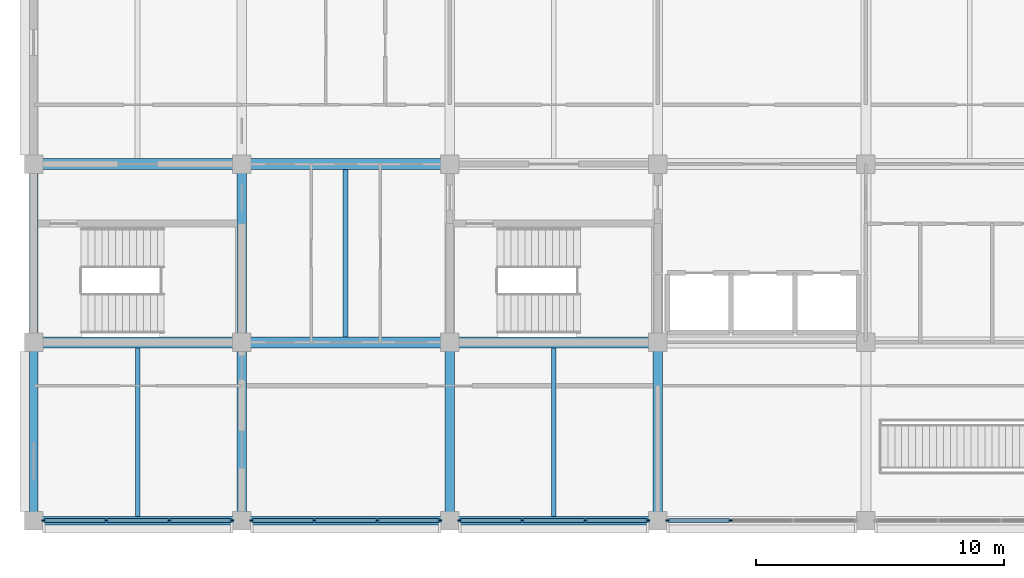
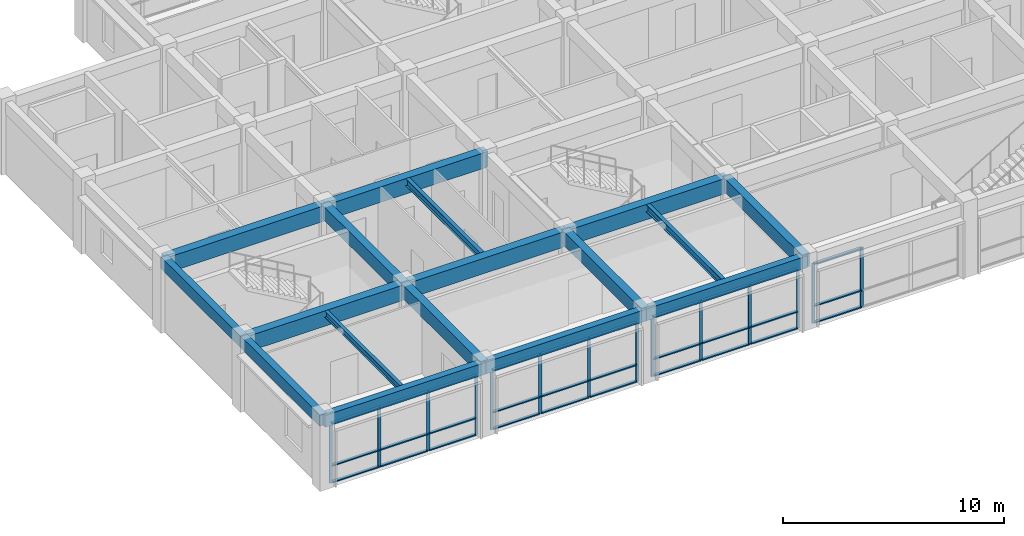
# One storey, part 2 of 27: 44 members, 17 beams, 4 elements without a shape of their own.
"""IFC4 building model written with IfcOpenShell, lengths in metres."""

from ifc_helpers import new_model, si_unit, direction, frame, origin, origin_2d, place, context, subcontext, project, spatial, rectangle, i_section, extrude, material, layer, layer_set, material_profile, profile_set, type_object, element, aggregate, save


model = new_model("IFC4")

# Units and contexts
model_context = context("Model", 3, precision=1e-05, world=origin(), true_north=direction((0.0, 1.0)))
body_context = subcontext(model_context, "Body", "Model", "MODEL_VIEW")
ifc_project = project(units=[si_unit("LENGTHUNIT", "METRE"), si_unit("AREAUNIT", "SQUARE_METRE"), si_unit("VOLUMEUNIT", "CUBIC_METRE"), si_unit("PLANEANGLEUNIT", "RADIAN"), si_unit("MASSUNIT", "GRAM", prefix="KILO")], contexts=[model_context])

# Site, building, storey
site_placement = place(None, origin())
site = spatial("IfcSite", under=ifc_project, at=site_placement, CompositionType="ELEMENT")
building_placement = place(site_placement, origin())
building = spatial("IfcBuilding", under=site, at=building_placement, Name="Chengyuan Square Courthouse", CompositionType="ELEMENT")
storey_placement = place(building_placement, frame((0.0, 0.0, 39.300048828125)))
storey = spatial("IfcBuildingStorey", under=building, at=storey_placement, Name="L09", CompositionType="ELEMENT", Elevation=39.300048828125)

# Beams
ifc_material_1 = material(Name="Concrete C40", Category="concrete")
ifc_material_profile_1 = material_profile(ifc_material_1, rectangle(XDim=0.449951171875, YDim=0.85009765625, at=origin_2d()), Name="RC-BM-450x850")
ifc_profile_set_1 = profile_set([ifc_material_profile_1], Name="Concrete C40")
beam_type_1 = type_object("IfcBeamType", Name="BM-01", PredefinedType="USERDEFINED", material=ifc_profile_set_1)
beam_1_placement = place(storey_placement, frame((42.0, 86.39990234375, 3.52490234375), z_axis=(1.0, 0.0, 0.0), x_axis=(0.0, 1.0, 0.0)))
element("IfcBeam", 1, at=beam_1_placement, inside=storey, type_object=beam_type_1, Name="Girder BM-L09-3907", ObjectType="GIRDER", PredefinedType="USERDEFINED", context=body_context, shape_type="SweptSolid", body=[
    extrude(rectangle(XDim=0.449951171875, YDim=0.85009765625, at=origin_2d()), origin(), (0.0, 0.0, 1.0), 8.39990234375),
])
beam_2_placement = place(storey_placement, frame((50.39990234375, 86.39990234375, 3.52490234375), z_axis=(1.0, 0.0, 0.0), x_axis=(0.0, 1.0, 0.0)))
element("IfcBeam", 2, at=beam_2_placement, inside=storey, type_object=beam_type_1, Name="Girder BM-L09-3908", ObjectType="GIRDER", PredefinedType="USERDEFINED", context=body_context, shape_type="SweptSolid", body=[
    extrude(rectangle(XDim=0.449951171875, YDim=0.85009765625, at=origin_2d()), origin(), (0.0, 0.0, 1.0), 8.400146484375),
])
for number, where, z_axis, x_axis, name in (
    (3, (58.800048828125, 86.39990234375, 3.52490234375), (1.0, 0.0, 0.0), (0.0, 1.0, 0.0), "Girder BM-L09-3909"),
    (4, (42.0, 93.60009765625, 3.52490234375), (1.0, 0.0, 0.0), (0.0, 1.0, 0.0), "Girder BM-L09-3917"),
):
    element("IfcBeam", number, at=place(storey_placement, frame(where, z_axis=z_axis, x_axis=x_axis)), inside=storey, type_object=beam_type_1, Name=name, ObjectType="GIRDER", PredefinedType="USERDEFINED", context=body_context, shape_type="SweptSolid", body=[
        extrude(rectangle(XDim=0.449951171875, YDim=0.85009765625, at=origin_2d()), origin(), (0.0, 0.0, 1.0), 8.39990234375),
    ])
beam_3_placement = place(storey_placement, frame((50.39990234375, 93.60009765625, 3.52490234375), z_axis=(1.0, 0.0, 0.0), x_axis=(0.0, 1.0, 0.0)))
element("IfcBeam", 5, at=beam_3_placement, inside=storey, type_object=beam_type_1, Name="Girder BM-L09-3918", ObjectType="GIRDER", PredefinedType="USERDEFINED", context=body_context, shape_type="SweptSolid", body=[
    extrude(rectangle(XDim=0.449951171875, YDim=0.85009765625, at=origin_2d()), origin(), (0.0, 0.0, 1.0), 8.400146484375),
])
ifc_material_profile_2 = material_profile(ifc_material_1, rectangle(XDim=0.39990234375, YDim=0.75, at=origin_2d()), Name="RC-BM-400x750")
ifc_profile_set_2 = profile_set([ifc_material_profile_2], Name="Concrete C40")
beam_type_2 = type_object("IfcBeamType", Name="BM-02", PredefinedType="USERDEFINED", material=ifc_profile_set_2)
beam_4_placement = place(storey_placement, frame((50.39990234375, 79.199951171875, 3.574951171875), z_axis=(0.0, 1.0, 0.0), x_axis=(-1.0, 0.0, 0.0)))
element("IfcBeam", 6, at=beam_4_placement, inside=storey, type_object=beam_type_2, Name="Girder BM-L09-3959", ObjectType="GIRDER", PredefinedType="USERDEFINED", context=body_context, shape_type="SweptSolid", body=[
    extrude(rectangle(XDim=0.39990234375, YDim=0.75, at=origin_2d()), origin(), (0.0, 0.0, 1.0), 7.199951171875),
])
beam_5_placement = place(storey_placement, frame((50.39990234375, 86.39990234375, 3.574951171875), z_axis=(0.0, 1.0, 0.0), x_axis=(-1.0, 0.0, 0.0)))
element("IfcBeam", 7, at=beam_5_placement, inside=storey, type_object=beam_type_2, Name="Girder BM-L09-3960", ObjectType="GIRDER", PredefinedType="USERDEFINED", context=body_context, shape_type="SweptSolid", body=[
    extrude(rectangle(XDim=0.39990234375, YDim=0.75, at=origin_2d()), origin(), (0.0, 0.0, 1.0), 7.2001953125),
])
for number, where, z_axis, x_axis, name in (
    (8, (58.800048828125, 79.199951171875, 3.574951171875), (0.0, 1.0, 0.0), (-1.0, 0.0, 0.0), "Girder BM-L09-3964"),
    (9, (67.199951171875, 79.199951171875, 3.574951171875), (0.0, 1.0, 0.0), (-1.0, 0.0, 0.0), "Girder BM-L09-3969"),
):
    element("IfcBeam", number, at=place(storey_placement, frame(where, z_axis=z_axis, x_axis=x_axis)), inside=storey, type_object=beam_type_2, Name=name, ObjectType="GIRDER", PredefinedType="USERDEFINED", context=body_context, shape_type="SweptSolid", body=[
        extrude(rectangle(XDim=0.39990234375, YDim=0.75, at=origin_2d()), origin(), (0.0, 0.0, 1.0), 7.199951171875),
    ])
ifc_material_profile_3 = material_profile(ifc_material_1, rectangle(XDim=0.35009765625, YDim=0.64990234375, at=origin_2d()), Name="RC-BM-350x650")
ifc_profile_set_3 = profile_set([ifc_material_profile_3], Name="Concrete C40")
beam_type_3 = type_object("IfcBeamType", Name="BM-03", PredefinedType="SPANDREL", material=ifc_profile_set_3)
beam_6_placement = place(storey_placement, frame((42.0, 79.199951171875, 3.625), z_axis=(1.0, 0.0, 0.0), x_axis=(0.0, 1.0, 0.0)))
element("IfcBeam", 10, at=beam_6_placement, inside=storey, type_object=beam_type_3, Name="Girder BM-L09-3897", PredefinedType="SPANDREL", context=body_context, shape_type="SweptSolid", body=[
    extrude(rectangle(XDim=0.35009765625, YDim=0.64990234375, at=origin_2d()), origin(), (0.0, 0.0, 1.0), 8.39990234375),
])
beam_7_placement = place(storey_placement, frame((50.39990234375, 79.199951171875, 3.625), z_axis=(1.0, 0.0, 0.0), x_axis=(0.0, 1.0, 0.0)))
element("IfcBeam", 11, at=beam_7_placement, inside=storey, type_object=beam_type_3, Name="Girder BM-L09-3898", PredefinedType="SPANDREL", context=body_context, shape_type="SweptSolid", body=[
    extrude(rectangle(XDim=0.35009765625, YDim=0.64990234375, at=origin_2d()), origin(), (0.0, 0.0, 1.0), 8.400146484375),
])
beam_8_placement = place(storey_placement, frame((58.800048828125, 79.199951171875, 3.625), z_axis=(1.0, 0.0, 0.0), x_axis=(0.0, 1.0, 0.0)))
element("IfcBeam", 12, at=beam_8_placement, inside=storey, type_object=beam_type_3, Name="Girder BM-L09-3899", PredefinedType="SPANDREL", context=body_context, shape_type="SweptSolid", body=[
    extrude(rectangle(XDim=0.35009765625, YDim=0.64990234375, at=origin_2d()), origin(), (0.0, 0.0, 1.0), 8.39990234375),
])
beam_9_placement = place(storey_placement, frame((42.0, 79.199951171875, 3.625), z_axis=(0.0, 1.0, 0.0), x_axis=(-1.0, 0.0, 0.0)))
element("IfcBeam", 13, at=beam_9_placement, inside=storey, type_object=beam_type_3, Name="Girder BM-L09-3955", PredefinedType="SPANDREL", context=body_context, shape_type="SweptSolid", body=[
    extrude(rectangle(XDim=0.35009765625, YDim=0.64990234375, at=origin_2d()), origin(), (0.0, 0.0, 1.0), 7.199951171875),
])
beam_10_placement = place(storey_placement, frame((42.0, 86.39990234375, 3.625), z_axis=(0.0, 1.0, 0.0), x_axis=(-1.0, 0.0, 0.0)))
element("IfcBeam", 14, at=beam_10_placement, inside=storey, type_object=beam_type_3, Name="Girder BM-L09-3956", PredefinedType="SPANDREL", context=body_context, shape_type="SweptSolid", body=[
    extrude(rectangle(XDim=0.35009765625, YDim=0.64990234375, at=origin_2d()), origin(), (0.0, 0.0, 1.0), 7.2001953125),
])
ifc_material_2 = material(Name="Steel Q355B", Category="steel")
ifc_material_profile_4 = material_profile(ifc_material_2, i_section(OverallWidth=0.199951171875, OverallDepth=0.39990234375, WebThickness=0.008056640625, FlangeThickness=0.012939453125, at=origin_2d()), Name="HN 400x200x8x13")
ifc_profile_set_4 = profile_set([ifc_material_profile_4], Name="Steel Q355B")
beam_type_4 = type_object("IfcBeamType", Name="BM-07", PredefinedType="BEAM", material=ifc_profile_set_4)
beam_11_placement = place(storey_placement, frame((54.60009765625, 86.625, 3.75), z_axis=(0.0, 1.0, 0.0), x_axis=(-1.0, 0.0, 0.0)))
element("IfcBeam", 15, at=beam_11_placement, inside=storey, type_object=beam_type_4, Name="Secondary Floor Beam SBM-L09-4010", PredefinedType="BEAM", context=body_context, shape_type="SweptSolid", body=[
    extrude(i_section(OverallWidth=0.199951171875, OverallDepth=0.39990234375, WebThickness=0.008056640625, FlangeThickness=0.012939453125, at=origin_2d()), origin(), (0.0, 0.0, 1.0), 6.75),
])
beam_12_placement = place(storey_placement, frame((63.0, 79.375, 3.75), z_axis=(0.0, 1.0, 0.0), x_axis=(-1.0, 0.0, 0.0)))
element("IfcBeam", 16, at=beam_12_placement, inside=storey, type_object=beam_type_4, Name="Secondary Floor Beam SBM-L09-4012", PredefinedType="BEAM", context=body_context, shape_type="SweptSolid", body=[
    extrude(i_section(OverallWidth=0.199951171875, OverallDepth=0.39990234375, WebThickness=0.008056640625, FlangeThickness=0.012939453125, at=origin_2d()), origin(), (0.0, 0.0, 1.0), 6.800048828125),
])
ifc_material_profile_5 = material_profile(ifc_material_2, i_section(OverallWidth=0.175048828125, OverallDepth=0.35009765625, WebThickness=0.007080078125, FlangeThickness=0.010986328125, at=origin_2d()), Name="HN 350x175x7x11")
ifc_profile_set_5 = profile_set([ifc_material_profile_5], Name="Steel Q355B")
beam_type_5 = type_object("IfcBeamType", Name="BM-08", PredefinedType="BEAM", material=ifc_profile_set_5)
beam_13_placement = place(storey_placement, frame((46.199951171875, 79.375, 3.77490234375), z_axis=(0.0, 1.0, 0.0), x_axis=(-1.0, 0.0, 0.0)))
element("IfcBeam", 17, at=beam_13_placement, inside=storey, type_object=beam_type_5, Name="Secondary Floor Beam SBM-L09-4008", PredefinedType="BEAM", context=body_context, shape_type="SweptSolid", body=[
    extrude(i_section(OverallWidth=0.175048828125, OverallDepth=0.35009765625, WebThickness=0.007080078125, FlangeThickness=0.010986328125, at=origin_2d()), origin(), (0.0, 0.0, 1.0), 6.800048828125),
])

# Curtain wall, members
ifc_material_3 = material(Name="Unitised Aluminium and Triple Low-E Glass", Category="aluminium")
ifc_layer = layer(ifc_material_3, 0.159912109375)
ifc_layer_set = layer_set([ifc_layer], Name="Unitised Aluminium and Triple Low-E Glass")
curtain_wall_type = type_object("IfcCurtainWallType", Name="CW-01", PredefinedType="USERDEFINED", material=ifc_layer_set)
curtain_wall_1_placement = place(storey_placement, origin())
curtain_wall_1 = element("IfcCurtainWall", 18, at=curtain_wall_1_placement, inside=storey, type_object=curtain_wall_type, Name="Unitised Curtain Wall CW-L09-234", ObjectType="UNITISED CURTAIN WALL", PredefinedType="USERDEFINED")
ifc_material_4 = material(Name="Aluminium 6063-T6 Frame", Category="aluminium")
ifc_material_profile_6 = material_profile(ifc_material_4, rectangle(XDim=0.06005859375, YDim=0.159912109375, at=origin_2d()), Name="CW-MUL-60x160")
ifc_profile_set_6 = profile_set([ifc_material_profile_6], Name="Aluminium 6063-T6 Frame")
member_type_1 = type_object("IfcMemberType", Name="CWM-01", PredefinedType="MULLION", material=ifc_profile_set_6)
member_1_placement = place(storey_placement, frame((42.405029296875, 79.199951171875, 0.0), z_axis=(0.0, 0.0, 1.0), x_axis=(0.0, 1.0, 0.0)))
member_1 = element("IfcMember", 19, at=member_1_placement, type_object=member_type_1, Name="CW-01 mullion 1", PredefinedType="MULLION", context=body_context, shape_type="SweptSolid", body=[
    extrude(rectangle(XDim=0.06005859375, YDim=0.159912109375, at=origin_2d()), origin(), (0.0, 0.0, 1.0), 3.300048828125),
])
member_2_placement = place(storey_placement, frame((44.925048828125, 79.199951171875, 0.0), z_axis=(0.0, 0.0, 1.0), x_axis=(0.0, 1.0, 0.0)))
member_2 = element("IfcMember", 20, at=member_2_placement, type_object=member_type_1, Name="CW-01 mullion 2", PredefinedType="MULLION", context=body_context, shape_type="SweptSolid", body=[
    extrude(rectangle(XDim=0.06005859375, YDim=0.159912109375, at=origin_2d()), origin(), (0.0, 0.0, 1.0), 3.300048828125),
])
member_3_placement = place(storey_placement, frame((47.47509765625, 79.199951171875, 0.0), z_axis=(0.0, 0.0, 1.0), x_axis=(0.0, 1.0, 0.0)))
member_3 = element("IfcMember", 21, at=member_3_placement, type_object=member_type_1, Name="CW-01 mullion 3", PredefinedType="MULLION", context=body_context, shape_type="SweptSolid", body=[
    extrude(rectangle(XDim=0.06005859375, YDim=0.159912109375, at=origin_2d()), origin(), (0.0, 0.0, 1.0), 3.300048828125),
])
member_4_placement = place(storey_placement, frame((49.9951171875, 79.199951171875, 0.0), z_axis=(0.0, 0.0, 1.0), x_axis=(0.0, 1.0, 0.0)))
member_4 = element("IfcMember", 22, at=member_4_placement, type_object=member_type_1, Name="CW-01 mullion 4", PredefinedType="MULLION", context=body_context, shape_type="SweptSolid", body=[
    extrude(rectangle(XDim=0.06005859375, YDim=0.159912109375, at=origin_2d()), origin(), (0.0, 0.0, 1.0), 3.300048828125),
])

curtain_wall_2_placement = place(storey_placement, origin())
curtain_wall_2 = element("IfcCurtainWall", 23, at=curtain_wall_2_placement, inside=storey, type_object=curtain_wall_type, Name="Unitised Curtain Wall CW-L09-235", ObjectType="UNITISED CURTAIN WALL", PredefinedType="USERDEFINED")
member_5_placement = place(storey_placement, frame((50.804931640625, 79.199951171875, 0.0), z_axis=(0.0, 0.0, 1.0), x_axis=(0.0, 1.0, 0.0)))
member_5 = element("IfcMember", 24, at=member_5_placement, type_object=member_type_1, Name="CW-01 mullion 1", PredefinedType="MULLION", context=body_context, shape_type="SweptSolid", body=[
    extrude(rectangle(XDim=0.06005859375, YDim=0.159912109375, at=origin_2d()), origin(), (0.0, 0.0, 1.0), 3.300048828125),
])
member_6_placement = place(storey_placement, frame((53.324951171875, 79.199951171875, 0.0), z_axis=(0.0, 0.0, 1.0), x_axis=(0.0, 1.0, 0.0)))
member_6 = element("IfcMember", 25, at=member_6_placement, type_object=member_type_1, Name="CW-01 mullion 2", PredefinedType="MULLION", context=body_context, shape_type="SweptSolid", body=[
    extrude(rectangle(XDim=0.06005859375, YDim=0.159912109375, at=origin_2d()), origin(), (0.0, 0.0, 1.0), 3.300048828125),
])
member_7_placement = place(storey_placement, frame((55.875, 79.199951171875, 0.0), z_axis=(0.0, 0.0, 1.0), x_axis=(0.0, 1.0, 0.0)))
member_7 = element("IfcMember", 26, at=member_7_placement, type_object=member_type_1, Name="CW-01 mullion 3", PredefinedType="MULLION", context=body_context, shape_type="SweptSolid", body=[
    extrude(rectangle(XDim=0.06005859375, YDim=0.159912109375, at=origin_2d()), origin(), (0.0, 0.0, 1.0), 3.300048828125),
])
member_8_placement = place(storey_placement, frame((58.39501953125, 79.199951171875, 0.0), z_axis=(0.0, 0.0, 1.0), x_axis=(0.0, 1.0, 0.0)))
member_8 = element("IfcMember", 27, at=member_8_placement, type_object=member_type_1, Name="CW-01 mullion 4", PredefinedType="MULLION", context=body_context, shape_type="SweptSolid", body=[
    extrude(rectangle(XDim=0.06005859375, YDim=0.159912109375, at=origin_2d()), origin(), (0.0, 0.0, 1.0), 3.300048828125),
])

curtain_wall_3_placement = place(storey_placement, origin())
curtain_wall_3 = element("IfcCurtainWall", 28, at=curtain_wall_3_placement, inside=storey, type_object=curtain_wall_type, Name="Unitised Curtain Wall CW-L09-237", ObjectType="UNITISED CURTAIN WALL", PredefinedType="USERDEFINED")
member_9_placement = place(storey_placement, frame((59.205078125, 79.199951171875, 0.0), z_axis=(0.0, 0.0, 1.0), x_axis=(0.0, 1.0, 0.0)))
member_9 = element("IfcMember", 29, at=member_9_placement, type_object=member_type_1, Name="CW-01 mullion 1", PredefinedType="MULLION", context=body_context, shape_type="SweptSolid", body=[
    extrude(rectangle(XDim=0.06005859375, YDim=0.159912109375, at=origin_2d()), origin(), (0.0, 0.0, 1.0), 3.300048828125),
])
member_10_placement = place(storey_placement, frame((61.72509765625, 79.199951171875, 0.0), z_axis=(0.0, 0.0, 1.0), x_axis=(0.0, 1.0, 0.0)))
member_10 = element("IfcMember", 30, at=member_10_placement, type_object=member_type_1, Name="CW-01 mullion 2", PredefinedType="MULLION", context=body_context, shape_type="SweptSolid", body=[
    extrude(rectangle(XDim=0.06005859375, YDim=0.159912109375, at=origin_2d()), origin(), (0.0, 0.0, 1.0), 3.300048828125),
])
member_11_placement = place(storey_placement, frame((64.27490234375, 79.199951171875, 0.0), z_axis=(0.0, 0.0, 1.0), x_axis=(0.0, 1.0, 0.0)))
member_11 = element("IfcMember", 31, at=member_11_placement, type_object=member_type_1, Name="CW-01 mullion 3", PredefinedType="MULLION", context=body_context, shape_type="SweptSolid", body=[
    extrude(rectangle(XDim=0.06005859375, YDim=0.159912109375, at=origin_2d()), origin(), (0.0, 0.0, 1.0), 3.300048828125),
])
member_12_placement = place(storey_placement, frame((66.794921875, 79.199951171875, 0.0), z_axis=(0.0, 0.0, 1.0), x_axis=(0.0, 1.0, 0.0)))
member_12 = element("IfcMember", 32, at=member_12_placement, type_object=member_type_1, Name="CW-01 mullion 4", PredefinedType="MULLION", context=body_context, shape_type="SweptSolid", body=[
    extrude(rectangle(XDim=0.06005859375, YDim=0.159912109375, at=origin_2d()), origin(), (0.0, 0.0, 1.0), 3.300048828125),
])

curtain_wall_4_placement = place(storey_placement, origin())
curtain_wall_4 = element("IfcCurtainWall", 33, at=curtain_wall_4_placement, inside=storey, type_object=curtain_wall_type, Name="Unitised Curtain Wall CW-L09-238", ObjectType="UNITISED CURTAIN WALL", PredefinedType="USERDEFINED")
member_13_placement = place(storey_placement, frame((67.60498046875, 79.199951171875, 0.0), z_axis=(0.0, 0.0, 1.0), x_axis=(0.0, 1.0, 0.0)))
member_13 = element("IfcMember", 34, at=member_13_placement, type_object=member_type_1, Name="CW-01 mullion 1", PredefinedType="MULLION", context=body_context, shape_type="SweptSolid", body=[
    extrude(rectangle(XDim=0.06005859375, YDim=0.159912109375, at=origin_2d()), origin(), (0.0, 0.0, 1.0), 3.300048828125),
])
member_14_placement = place(storey_placement, frame((70.125, 79.199951171875, 0.0), z_axis=(0.0, 0.0, 1.0), x_axis=(0.0, 1.0, 0.0)))
member_14 = element("IfcMember", 35, at=member_14_placement, type_object=member_type_1, Name="CW-01 mullion 2", PredefinedType="MULLION", context=body_context, shape_type="SweptSolid", body=[
    extrude(rectangle(XDim=0.06005859375, YDim=0.159912109375, at=origin_2d()), origin(), (0.0, 0.0, 1.0), 3.300048828125),
])

# Member
ifc_material_profile_7 = material_profile(ifc_material_4, rectangle(XDim=0.159912109375, YDim=0.06005859375, at=origin_2d()), Name="CW-TRN-60x120")
ifc_profile_set_7 = profile_set([ifc_material_profile_7], Name="Aluminium 6063-T6 Frame")
member_type_2 = type_object("IfcMemberType", Name="CWT-01", PredefinedType="USERDEFINED", material=ifc_profile_set_7)
member_15_placement = place(storey_placement, frame((42.43505859375, 79.199951171875, 0.030029296875), z_axis=(1.0, 0.0, 0.0), x_axis=(0.0, 1.0, 0.0)))
member_15 = element("IfcMember", 36, at=member_15_placement, type_object=member_type_2, Name="CW-01 transom 1.1", ObjectType="TRANSOM", PredefinedType="USERDEFINED", context=body_context, shape_type="SweptSolid", body=[
    extrude(rectangle(XDim=0.159912109375, YDim=0.06005859375, at=origin_2d()), origin(), (0.0, 0.0, 1.0), 2.4599609375),
])

member_16_placement = place(storey_placement, frame((42.43505859375, 79.199951171875, 0.949951171875), z_axis=(1.0, 0.0, 0.0), x_axis=(0.0, 1.0, 0.0)))
member_16 = element("IfcMember", 37, at=member_16_placement, type_object=member_type_2, Name="CW-01 transom 1.2", ObjectType="TRANSOM", PredefinedType="USERDEFINED", context=body_context, shape_type="SweptSolid", body=[
    extrude(rectangle(XDim=0.159912109375, YDim=0.06005859375, at=origin_2d()), origin(), (0.0, 0.0, 1.0), 2.4599609375),
])

member_17_placement = place(storey_placement, frame((42.43505859375, 79.199951171875, 3.27001953125), z_axis=(1.0, 0.0, 0.0), x_axis=(0.0, 1.0, 0.0)))
member_17 = element("IfcMember", 38, at=member_17_placement, type_object=member_type_2, Name="CW-01 transom 1.3", ObjectType="TRANSOM", PredefinedType="USERDEFINED", context=body_context, shape_type="SweptSolid", body=[
    extrude(rectangle(XDim=0.159912109375, YDim=0.06005859375, at=origin_2d()), origin(), (0.0, 0.0, 1.0), 2.4599609375),
])

member_18_placement = place(storey_placement, frame((44.955078125, 79.199951171875, 0.030029296875), z_axis=(1.0, 0.0, 0.0), x_axis=(0.0, 1.0, 0.0)))
member_18 = element("IfcMember", 39, at=member_18_placement, type_object=member_type_2, Name="CW-01 transom 2.1", ObjectType="TRANSOM", PredefinedType="USERDEFINED", context=body_context, shape_type="SweptSolid", body=[
    extrude(rectangle(XDim=0.159912109375, YDim=0.06005859375, at=origin_2d()), origin(), (0.0, 0.0, 1.0), 2.489990234375),
])

member_19_placement = place(storey_placement, frame((44.955078125, 79.199951171875, 0.949951171875), z_axis=(1.0, 0.0, 0.0), x_axis=(0.0, 1.0, 0.0)))
member_19 = element("IfcMember", 40, at=member_19_placement, type_object=member_type_2, Name="CW-01 transom 2.2", ObjectType="TRANSOM", PredefinedType="USERDEFINED", context=body_context, shape_type="SweptSolid", body=[
    extrude(rectangle(XDim=0.159912109375, YDim=0.06005859375, at=origin_2d()), origin(), (0.0, 0.0, 1.0), 2.489990234375),
])

member_20_placement = place(storey_placement, frame((44.955078125, 79.199951171875, 3.27001953125), z_axis=(1.0, 0.0, 0.0), x_axis=(0.0, 1.0, 0.0)))
member_20 = element("IfcMember", 41, at=member_20_placement, type_object=member_type_2, Name="CW-01 transom 2.3", ObjectType="TRANSOM", PredefinedType="USERDEFINED", context=body_context, shape_type="SweptSolid", body=[
    extrude(rectangle(XDim=0.159912109375, YDim=0.06005859375, at=origin_2d()), origin(), (0.0, 0.0, 1.0), 2.489990234375),
])

member_21_placement = place(storey_placement, frame((47.5048828125, 79.199951171875, 0.030029296875), z_axis=(1.0, 0.0, 0.0), x_axis=(0.0, 1.0, 0.0)))
member_21 = element("IfcMember", 42, at=member_21_placement, type_object=member_type_2, Name="CW-01 transom 3.1", ObjectType="TRANSOM", PredefinedType="USERDEFINED", context=body_context, shape_type="SweptSolid", body=[
    extrude(rectangle(XDim=0.159912109375, YDim=0.06005859375, at=origin_2d()), origin(), (0.0, 0.0, 1.0), 2.460205078125),
])

member_22_placement = place(storey_placement, frame((47.5048828125, 79.199951171875, 0.949951171875), z_axis=(1.0, 0.0, 0.0), x_axis=(0.0, 1.0, 0.0)))
member_22 = element("IfcMember", 43, at=member_22_placement, type_object=member_type_2, Name="CW-01 transom 3.2", ObjectType="TRANSOM", PredefinedType="USERDEFINED", context=body_context, shape_type="SweptSolid", body=[
    extrude(rectangle(XDim=0.159912109375, YDim=0.06005859375, at=origin_2d()), origin(), (0.0, 0.0, 1.0), 2.460205078125),
])

member_23_placement = place(storey_placement, frame((47.5048828125, 79.199951171875, 3.27001953125), z_axis=(1.0, 0.0, 0.0), x_axis=(0.0, 1.0, 0.0)))
member_23 = element("IfcMember", 44, at=member_23_placement, type_object=member_type_2, Name="CW-01 transom 3.3", ObjectType="TRANSOM", PredefinedType="USERDEFINED", context=body_context, shape_type="SweptSolid", body=[
    extrude(rectangle(XDim=0.159912109375, YDim=0.06005859375, at=origin_2d()), origin(), (0.0, 0.0, 1.0), 2.460205078125),
])

aggregate(curtain_wall_1, [member_1, member_2, member_3, member_4, member_15, member_16, member_17, member_18, member_19, member_20, member_21, member_22, member_23])

member_24_placement = place(storey_placement, frame((50.8349609375, 79.199951171875, 0.030029296875), z_axis=(1.0, 0.0, 0.0), x_axis=(0.0, 1.0, 0.0)))
member_24 = element("IfcMember", 45, at=member_24_placement, type_object=member_type_2, Name="CW-01 transom 1.1", ObjectType="TRANSOM", PredefinedType="USERDEFINED", context=body_context, shape_type="SweptSolid", body=[
    extrude(rectangle(XDim=0.159912109375, YDim=0.06005859375, at=origin_2d()), origin(), (0.0, 0.0, 1.0), 2.4599609375),
])

member_25_placement = place(storey_placement, frame((50.8349609375, 79.199951171875, 0.949951171875), z_axis=(1.0, 0.0, 0.0), x_axis=(0.0, 1.0, 0.0)))
member_25 = element("IfcMember", 46, at=member_25_placement, type_object=member_type_2, Name="CW-01 transom 1.2", ObjectType="TRANSOM", PredefinedType="USERDEFINED", context=body_context, shape_type="SweptSolid", body=[
    extrude(rectangle(XDim=0.159912109375, YDim=0.06005859375, at=origin_2d()), origin(), (0.0, 0.0, 1.0), 2.4599609375),
])

member_26_placement = place(storey_placement, frame((50.8349609375, 79.199951171875, 3.27001953125), z_axis=(1.0, 0.0, 0.0), x_axis=(0.0, 1.0, 0.0)))
member_26 = element("IfcMember", 47, at=member_26_placement, type_object=member_type_2, Name="CW-01 transom 1.3", ObjectType="TRANSOM", PredefinedType="USERDEFINED", context=body_context, shape_type="SweptSolid", body=[
    extrude(rectangle(XDim=0.159912109375, YDim=0.06005859375, at=origin_2d()), origin(), (0.0, 0.0, 1.0), 2.4599609375),
])

member_27_placement = place(storey_placement, frame((53.35498046875, 79.199951171875, 0.030029296875), z_axis=(1.0, 0.0, 0.0), x_axis=(0.0, 1.0, 0.0)))
member_27 = element("IfcMember", 48, at=member_27_placement, type_object=member_type_2, Name="CW-01 transom 2.1", ObjectType="TRANSOM", PredefinedType="USERDEFINED", context=body_context, shape_type="SweptSolid", body=[
    extrude(rectangle(XDim=0.159912109375, YDim=0.06005859375, at=origin_2d()), origin(), (0.0, 0.0, 1.0), 2.489990234375),
])

member_28_placement = place(storey_placement, frame((53.35498046875, 79.199951171875, 0.949951171875), z_axis=(1.0, 0.0, 0.0), x_axis=(0.0, 1.0, 0.0)))
member_28 = element("IfcMember", 49, at=member_28_placement, type_object=member_type_2, Name="CW-01 transom 2.2", ObjectType="TRANSOM", PredefinedType="USERDEFINED", context=body_context, shape_type="SweptSolid", body=[
    extrude(rectangle(XDim=0.159912109375, YDim=0.06005859375, at=origin_2d()), origin(), (0.0, 0.0, 1.0), 2.489990234375),
])

member_29_placement = place(storey_placement, frame((53.35498046875, 79.199951171875, 3.27001953125), z_axis=(1.0, 0.0, 0.0), x_axis=(0.0, 1.0, 0.0)))
member_29 = element("IfcMember", 50, at=member_29_placement, type_object=member_type_2, Name="CW-01 transom 2.3", ObjectType="TRANSOM", PredefinedType="USERDEFINED", context=body_context, shape_type="SweptSolid", body=[
    extrude(rectangle(XDim=0.159912109375, YDim=0.06005859375, at=origin_2d()), origin(), (0.0, 0.0, 1.0), 2.489990234375),
])

member_30_placement = place(storey_placement, frame((55.905029296875, 79.199951171875, 0.030029296875), z_axis=(1.0, 0.0, 0.0), x_axis=(0.0, 1.0, 0.0)))
member_30 = element("IfcMember", 51, at=member_30_placement, type_object=member_type_2, Name="CW-01 transom 3.1", ObjectType="TRANSOM", PredefinedType="USERDEFINED", context=body_context, shape_type="SweptSolid", body=[
    extrude(rectangle(XDim=0.159912109375, YDim=0.06005859375, at=origin_2d()), origin(), (0.0, 0.0, 1.0), 2.4599609375),
])

member_31_placement = place(storey_placement, frame((55.905029296875, 79.199951171875, 0.949951171875), z_axis=(1.0, 0.0, 0.0), x_axis=(0.0, 1.0, 0.0)))
member_31 = element("IfcMember", 52, at=member_31_placement, type_object=member_type_2, Name="CW-01 transom 3.2", ObjectType="TRANSOM", PredefinedType="USERDEFINED", context=body_context, shape_type="SweptSolid", body=[
    extrude(rectangle(XDim=0.159912109375, YDim=0.06005859375, at=origin_2d()), origin(), (0.0, 0.0, 1.0), 2.4599609375),
])

member_32_placement = place(storey_placement, frame((55.905029296875, 79.199951171875, 3.27001953125), z_axis=(1.0, 0.0, 0.0), x_axis=(0.0, 1.0, 0.0)))
member_32 = element("IfcMember", 53, at=member_32_placement, type_object=member_type_2, Name="CW-01 transom 3.3", ObjectType="TRANSOM", PredefinedType="USERDEFINED", context=body_context, shape_type="SweptSolid", body=[
    extrude(rectangle(XDim=0.159912109375, YDim=0.06005859375, at=origin_2d()), origin(), (0.0, 0.0, 1.0), 2.4599609375),
])

aggregate(curtain_wall_2, [member_5, member_6, member_7, member_8, member_24, member_25, member_26, member_27, member_28, member_29, member_30, member_31, member_32])

member_33_placement = place(storey_placement, frame((59.235107421875, 79.199951171875, 0.030029296875), z_axis=(1.0, 0.0, 0.0), x_axis=(0.0, 1.0, 0.0)))
member_33 = element("IfcMember", 54, at=member_33_placement, type_object=member_type_2, Name="CW-01 transom 1.1", ObjectType="TRANSOM", PredefinedType="USERDEFINED", context=body_context, shape_type="SweptSolid", body=[
    extrude(rectangle(XDim=0.159912109375, YDim=0.06005859375, at=origin_2d()), origin(), (0.0, 0.0, 1.0), 2.4599609375),
])

member_34_placement = place(storey_placement, frame((59.235107421875, 79.199951171875, 0.949951171875), z_axis=(1.0, 0.0, 0.0), x_axis=(0.0, 1.0, 0.0)))
member_34 = element("IfcMember", 55, at=member_34_placement, type_object=member_type_2, Name="CW-01 transom 1.2", ObjectType="TRANSOM", PredefinedType="USERDEFINED", context=body_context, shape_type="SweptSolid", body=[
    extrude(rectangle(XDim=0.159912109375, YDim=0.06005859375, at=origin_2d()), origin(), (0.0, 0.0, 1.0), 2.4599609375),
])

member_35_placement = place(storey_placement, frame((59.235107421875, 79.199951171875, 3.27001953125), z_axis=(1.0, 0.0, 0.0), x_axis=(0.0, 1.0, 0.0)))
member_35 = element("IfcMember", 56, at=member_35_placement, type_object=member_type_2, Name="CW-01 transom 1.3", ObjectType="TRANSOM", PredefinedType="USERDEFINED", context=body_context, shape_type="SweptSolid", body=[
    extrude(rectangle(XDim=0.159912109375, YDim=0.06005859375, at=origin_2d()), origin(), (0.0, 0.0, 1.0), 2.4599609375),
])

member_36_placement = place(storey_placement, frame((61.7548828125, 79.199951171875, 0.030029296875), z_axis=(1.0, 0.0, 0.0), x_axis=(0.0, 1.0, 0.0)))
member_36 = element("IfcMember", 57, at=member_36_placement, type_object=member_type_2, Name="CW-01 transom 2.1", ObjectType="TRANSOM", PredefinedType="USERDEFINED", context=body_context, shape_type="SweptSolid", body=[
    extrude(rectangle(XDim=0.159912109375, YDim=0.06005859375, at=origin_2d()), origin(), (0.0, 0.0, 1.0), 2.490234375),
])

member_37_placement = place(storey_placement, frame((61.7548828125, 79.199951171875, 0.949951171875), z_axis=(1.0, 0.0, 0.0), x_axis=(0.0, 1.0, 0.0)))
member_37 = element("IfcMember", 58, at=member_37_placement, type_object=member_type_2, Name="CW-01 transom 2.2", ObjectType="TRANSOM", PredefinedType="USERDEFINED", context=body_context, shape_type="SweptSolid", body=[
    extrude(rectangle(XDim=0.159912109375, YDim=0.06005859375, at=origin_2d()), origin(), (0.0, 0.0, 1.0), 2.490234375),
])

member_38_placement = place(storey_placement, frame((61.7548828125, 79.199951171875, 3.27001953125), z_axis=(1.0, 0.0, 0.0), x_axis=(0.0, 1.0, 0.0)))
member_38 = element("IfcMember", 59, at=member_38_placement, type_object=member_type_2, Name="CW-01 transom 2.3", ObjectType="TRANSOM", PredefinedType="USERDEFINED", context=body_context, shape_type="SweptSolid", body=[
    extrude(rectangle(XDim=0.159912109375, YDim=0.06005859375, at=origin_2d()), origin(), (0.0, 0.0, 1.0), 2.490234375),
])

member_39_placement = place(storey_placement, frame((64.304931640625, 79.199951171875, 0.030029296875), z_axis=(1.0, 0.0, 0.0), x_axis=(0.0, 1.0, 0.0)))
member_39 = element("IfcMember", 60, at=member_39_placement, type_object=member_type_2, Name="CW-01 transom 3.1", ObjectType="TRANSOM", PredefinedType="USERDEFINED", context=body_context, shape_type="SweptSolid", body=[
    extrude(rectangle(XDim=0.159912109375, YDim=0.06005859375, at=origin_2d()), origin(), (0.0, 0.0, 1.0), 2.4599609375),
])

member_40_placement = place(storey_placement, frame((64.304931640625, 79.199951171875, 0.949951171875), z_axis=(1.0, 0.0, 0.0), x_axis=(0.0, 1.0, 0.0)))
member_40 = element("IfcMember", 61, at=member_40_placement, type_object=member_type_2, Name="CW-01 transom 3.2", ObjectType="TRANSOM", PredefinedType="USERDEFINED", context=body_context, shape_type="SweptSolid", body=[
    extrude(rectangle(XDim=0.159912109375, YDim=0.06005859375, at=origin_2d()), origin(), (0.0, 0.0, 1.0), 2.4599609375),
])

member_41_placement = place(storey_placement, frame((64.304931640625, 79.199951171875, 3.27001953125), z_axis=(1.0, 0.0, 0.0), x_axis=(0.0, 1.0, 0.0)))
member_41 = element("IfcMember", 62, at=member_41_placement, type_object=member_type_2, Name="CW-01 transom 3.3", ObjectType="TRANSOM", PredefinedType="USERDEFINED", context=body_context, shape_type="SweptSolid", body=[
    extrude(rectangle(XDim=0.159912109375, YDim=0.06005859375, at=origin_2d()), origin(), (0.0, 0.0, 1.0), 2.4599609375),
])

aggregate(curtain_wall_3, [member_9, member_10, member_11, member_12, member_33, member_34, member_35, member_36, member_37, member_38, member_39, member_40, member_41])

member_42_placement = place(storey_placement, frame((67.635009765625, 79.199951171875, 0.030029296875), z_axis=(1.0, 0.0, 0.0), x_axis=(0.0, 1.0, 0.0)))
member_42 = element("IfcMember", 63, at=member_42_placement, type_object=member_type_2, Name="CW-01 transom 1.1", ObjectType="TRANSOM", PredefinedType="USERDEFINED", context=body_context, shape_type="SweptSolid", body=[
    extrude(rectangle(XDim=0.159912109375, YDim=0.06005859375, at=origin_2d()), origin(), (0.0, 0.0, 1.0), 2.4599609375),
])

member_43_placement = place(storey_placement, frame((67.635009765625, 79.199951171875, 0.949951171875), z_axis=(1.0, 0.0, 0.0), x_axis=(0.0, 1.0, 0.0)))
member_43 = element("IfcMember", 64, at=member_43_placement, type_object=member_type_2, Name="CW-01 transom 1.2", ObjectType="TRANSOM", PredefinedType="USERDEFINED", context=body_context, shape_type="SweptSolid", body=[
    extrude(rectangle(XDim=0.159912109375, YDim=0.06005859375, at=origin_2d()), origin(), (0.0, 0.0, 1.0), 2.4599609375),
])

member_44_placement = place(storey_placement, frame((67.635009765625, 79.199951171875, 3.27001953125), z_axis=(1.0, 0.0, 0.0), x_axis=(0.0, 1.0, 0.0)))
member_44 = element("IfcMember", 65, at=member_44_placement, type_object=member_type_2, Name="CW-01 transom 1.3", ObjectType="TRANSOM", PredefinedType="USERDEFINED", context=body_context, shape_type="SweptSolid", body=[
    extrude(rectangle(XDim=0.159912109375, YDim=0.06005859375, at=origin_2d()), origin(), (0.0, 0.0, 1.0), 2.4599609375),
])

aggregate(curtain_wall_4, [member_13, member_14, member_42, member_43, member_44])

save(model, "model.ifc")
